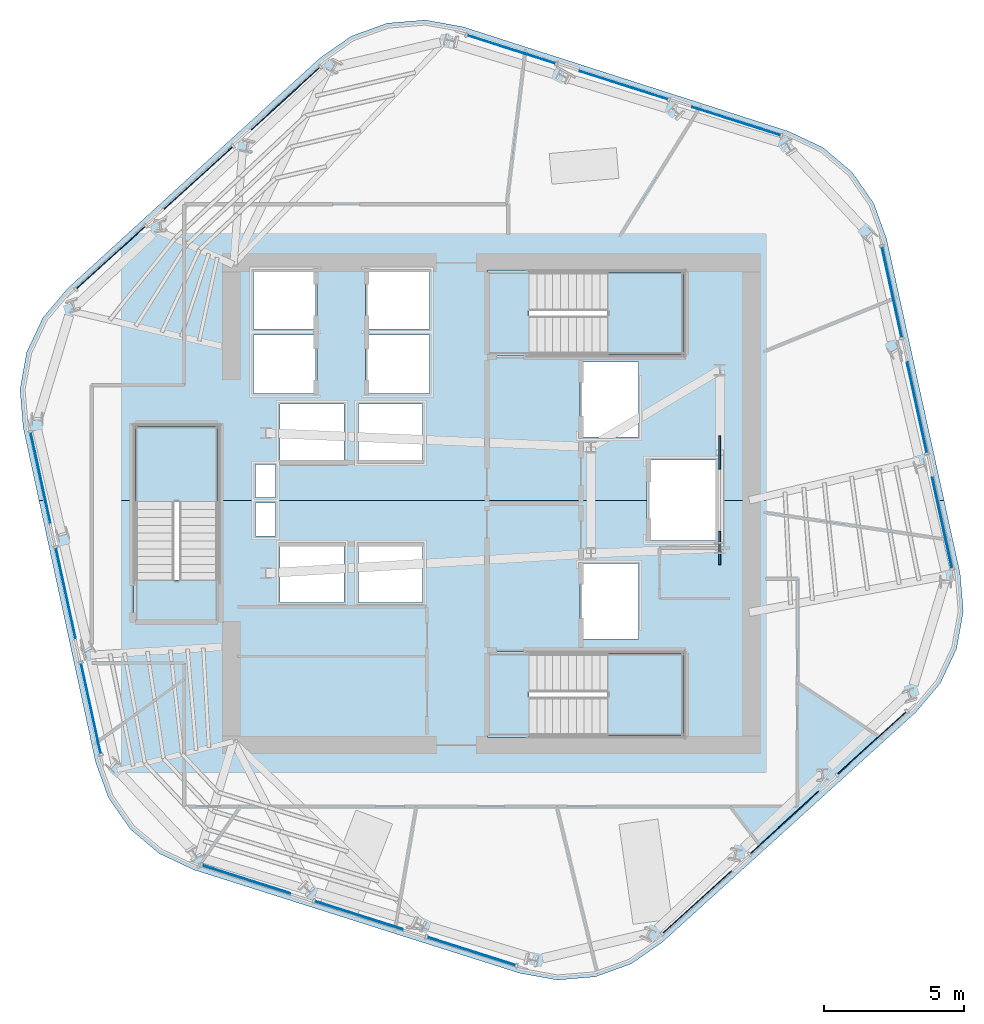
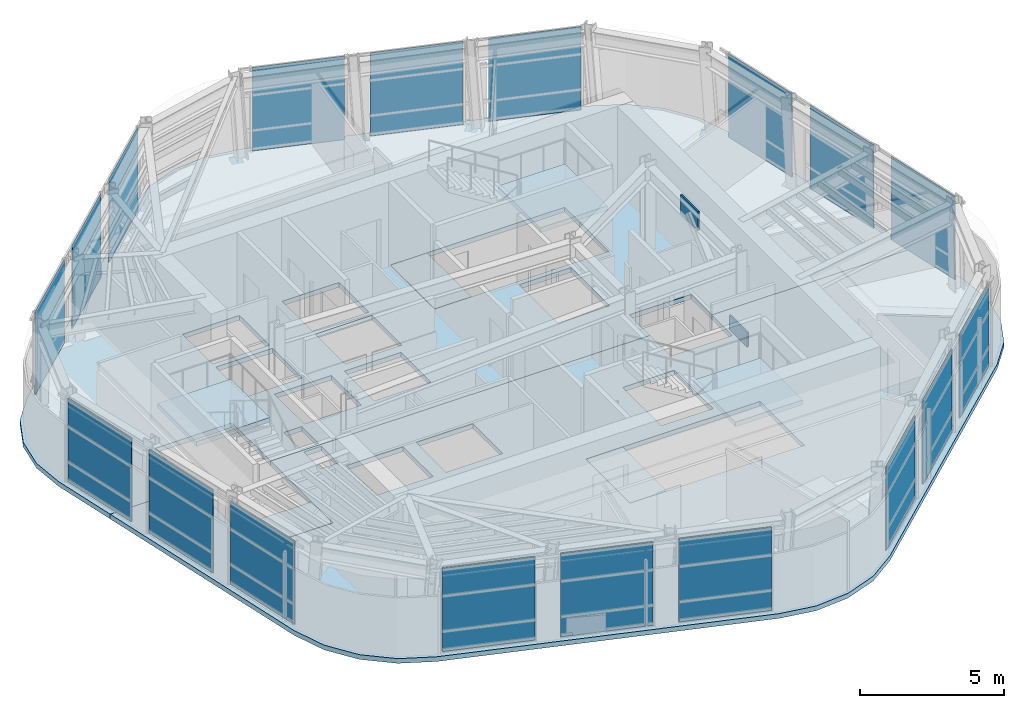
# One storey, part 6 of 15: 20 plates, 8 slabs, 9 elements without a shape of their own.
"""IFC4 building model written with IfcOpenShell, lengths in metres."""

import ifcopenshell
import ifcopenshell.guid

model = None  # the IFC model being written
_history = None  # IfcOwnerHistory: only IFC2X3 demands one
_inside = {}  # id of a spatial element -> (the spatial element, [elements in it])
_under = {}  # id of a project, library or spatial element -> (it, [spatial elements below it])
_declared = {}  # id of a project -> (the project, [libraries it declares])
_typed = {}  # id of a type object -> (the type object, [elements of that type])
_made_of = {}  # id of a material, layer set ... -> (it, [elements and type objects made of it])


def new_model(schema):
    """Start an empty IFC model of exactly this schema.

    Asked for "IFC4X3", IfcOpenShell would pick the latest addendum, in which some entities
    have other attributes; the version numbers below select the first issue.
    IFC2X3 requires an IfcOwnerHistory on every rooted entity: one is made here for all.
    """
    global model, _history
    if schema == "IFC4X3":
        model = ifcopenshell.file(schema_version=(4, 3, 0, 0))
    else:
        model = ifcopenshell.file(schema=schema)
    _inside.clear()
    _under.clear()
    _declared.clear()
    _typed.clear()
    _made_of.clear()
    _history = None
    if model.schema == "IFC2X3":
        org = make("IfcOrganization", Name="unknown")
        user = make(
            "IfcPersonAndOrganization",
            ThePerson=make("IfcPerson", FamilyName="unknown"),
            TheOrganization=org,
        )
        app = make(
            "IfcApplication",
            ApplicationDeveloper=org,
            Version="unknown",
            ApplicationFullName="unknown",
            ApplicationIdentifier="unknown",
        )
        _history = make(
            "IfcOwnerHistory",
            OwningUser=user,
            OwningApplication=app,
            ChangeAction="ADDED",
            CreationDate=0,
        )
    return model


def make(cls, **values):
    """One entity of the class cls with the attributes given. An attribute that is None is left unset."""
    return model.create_entity(
        cls, **{name: value for name, value in values.items() if value is not None}
    )


def rooted(cls, **values):
    """An entity with a GlobalId (a new one), such as an element, a storey or a relation."""
    return make(cls, GlobalId=ifcopenshell.guid.new(), OwnerHistory=_history, **values)


def si_unit(unit_type, name, prefix=None):
    """IfcSIUnit, for example si_unit("LENGTHUNIT", "METRE", prefix="MILLI")."""
    return make("IfcSIUnit", UnitType=unit_type, Prefix=prefix, Name=name)


def assignment(units):
    """IfcUnitAssignment: the units of a project."""
    return None if units is None else make("IfcUnitAssignment", Units=units)


def point(xyz):
    """IfcCartesianPoint."""
    return None if xyz is None else make("IfcCartesianPoint", Coordinates=xyz)


def direction(xyz):
    """IfcDirection."""
    return None if xyz is None else make("IfcDirection", DirectionRatios=xyz)


def frame(location, z_axis=None, x_axis=None):
    """IfcAxis2Placement3D, a coordinate frame: its origin and axes. An axis left out is left unset."""
    return make(
        "IfcAxis2Placement3D",
        Location=point(location),
        Axis=direction(z_axis),
        RefDirection=direction(x_axis),
    )


def frame_2d(location, x_axis=None):
    """IfcAxis2Placement2D, a coordinate frame in the plane: its origin and x axis."""
    return make(
        "IfcAxis2Placement2D", Location=point(location), RefDirection=direction(x_axis)
    )


def origin():
    """The frame at (0, 0, 0) with its axes left unset."""
    return frame((0.0, 0.0, 0.0))


def origin_2d():
    """The frame at (0, 0) in the plane with its x axis left unset."""
    return frame_2d((0.0, 0.0))


def place(relative_to, where):
    """IfcLocalPlacement: puts the frame where relative to a parent placement (None: the world)."""
    return make(
        "IfcLocalPlacement", PlacementRelTo=relative_to, RelativePlacement=where
    )


def context(
    kind, dimensions, precision=None, world=None, true_north=None, identifier=None
):
    """IfcGeometricRepresentationContext, for example the 3D "Model" context."""
    return make(
        "IfcGeometricRepresentationContext",
        ContextIdentifier=identifier,
        ContextType=kind,
        CoordinateSpaceDimension=dimensions,
        Precision=precision,
        WorldCoordinateSystem=world,
        TrueNorth=true_north,
    )


def subcontext(parent, identifier, kind, view, scale=None):
    """IfcGeometricRepresentationSubContext, for example "Body" below "Model"."""
    return make(
        "IfcGeometricRepresentationSubContext",
        ContextIdentifier=identifier,
        ContextType=kind,
        ParentContext=parent,
        TargetScale=scale,
        TargetView=view,
    )


def project(units=None, contexts=None):
    """IfcProject with its units and contexts."""
    return rooted(
        "IfcProject",
        Name="project",
        RepresentationContexts=contexts,
        UnitsInContext=assignment(units),
    )


def spatial(cls, under=None, at=None, **own):
    """A site, building, storey or space (cls), placed at a placement, below another one or the project."""
    s = rooted(cls, ObjectPlacement=at, **own)
    if under is not None:
        _under.setdefault(under.id(), (under, []))[1].append(s)
    return s


def polyline(points):
    """IfcPolyline through the points."""
    return make("IfcPolyline", Points=[point(p) for p in points])


def profile(cls, at=None, kind="AREA", **sizes):
    """A parametric profile (cls). Its sizes go by their IFC names, for example OverallWidth=200.0."""
    return make(cls, ProfileType=kind, Position=at, **sizes)


def rectangle(**sizes):
    """IfcRectangleProfileDef."""
    return profile("IfcRectangleProfileDef", **sizes)


def outline(outer, holes=None, kind="AREA"):
    """IfcArbitraryClosedProfileDef: a profile drawn as a closed curve; with holes, ...WithVoids."""
    if holes is None:
        return make("IfcArbitraryClosedProfileDef", ProfileType=kind, OuterCurve=outer)
    return make(
        "IfcArbitraryProfileDefWithVoids",
        ProfileType=kind,
        OuterCurve=outer,
        InnerCurves=holes,
    )


def extrude(swept, where, along, depth):
    """IfcExtrudedAreaSolid: the profile swept, set in the frame where, extruded along a direction by depth."""
    return make(
        "IfcExtrudedAreaSolid",
        SweptArea=swept,
        Position=where,
        ExtrudedDirection=direction(along),
        Depth=depth,
    )


def shape(context_of_items, identifier, shape_type, items):
    """IfcShapeRepresentation: the items that make up one representation, for example the "Body"."""
    return make(
        "IfcShapeRepresentation",
        ContextOfItems=context_of_items,
        RepresentationIdentifier=identifier,
        RepresentationType=shape_type,
        Items=items,
    )


def material(Name=None, Category=None):
    """IfcMaterial."""
    return make("IfcMaterial", Name=Name, Category=Category)


def layer(
    of_material, thickness, ventilated=None, Name=None, Category=None, Priority=None
):
    """IfcMaterialLayer: one layer of a wall or slab, of a material (None: an air gap)."""
    return make(
        "IfcMaterialLayer",
        Material=of_material,
        LayerThickness=thickness,
        IsVentilated=ventilated,
        Name=Name,
        Category=Category,
        Priority=Priority,
    )


def layer_set(layers, Name=None):
    """IfcMaterialLayerSet."""
    return make("IfcMaterialLayerSet", MaterialLayers=layers, LayerSetName=Name)


def made_of(thing, what):
    """Note that an element or type object is made of a material, layer set ...; save() writes the relation."""
    if what is not None:
        _made_of.setdefault(what.id(), (what, []))[1].append(thing)
    return thing


def type_object(cls, material=None, **own):
    """A type object (cls), such as IfcWallType, which elements share."""
    return made_of(rooted(cls, **own), material)


def element(
    cls,
    number,
    at=None,
    inside=None,
    cuts=None,
    type_object=None,
    material=None,
    context=None,
    identifier="Body",
    shape_type=None,
    held_by="IfcProductDefinitionShape",
    body=None,
    shapes=None,
    **own,
):
    """One element of the class cls, such as IfcWall. Its Tag is "e" and its number.

    at: its placement. inside: the storey or other place that contains it. cuts: it is an
    opening in that element (IfcRelVoidsElement). A single representation is given by context,
    identifier, shape_type and body (its items); several are given by shapes. held_by: the class
    of the entity that holds the representations. save() writes the other relations.
    """
    e = rooted(cls, Tag="e%d" % number, ObjectPlacement=at, **own)
    if body is not None:
        shapes = [shape(context, identifier, shape_type, body)]
    if shapes is not None:
        e.Representation = make(held_by, Representations=shapes)
    if inside is not None:
        _inside.setdefault(inside.id(), (inside, []))[1].append(e)
    if cuts is not None:
        rooted(
            "IfcRelVoidsElement", RelatingBuildingElement=cuts, RelatedOpeningElement=e
        )
    if type_object is not None:
        _typed.setdefault(type_object.id(), (type_object, []))[1].append(e)
    return made_of(e, material)


def aggregate(whole, parts):
    """IfcRelAggregates: a whole, such as a stair, and the parts it consists of."""
    return rooted("IfcRelAggregates", RelatingObject=whole, RelatedObjects=parts)


def save(model, path):
    """Write the relations noted so far, then the file.

    IfcRelAggregates (storeys below a building ...), IfcRelContainedInSpatialStructure (elements
    in a storey), IfcRelDefinesByType, IfcRelAssociatesMaterial and IfcRelDeclares: one each for
    every whole, place, type object, material and project.
    """
    for whole, parts in _under.values():
        aggregate(whole, parts)
    for where, things in _inside.values():
        rooted(
            "IfcRelContainedInSpatialStructure",
            RelatedElements=things,
            RelatingStructure=where,
        )
    for kind, things in _typed.values():
        rooted("IfcRelDefinesByType", RelatedObjects=things, RelatingType=kind)
    for what, things in _made_of.values():
        rooted("IfcRelAssociatesMaterial", RelatedObjects=things, RelatingMaterial=what)
    for by, libraries in _declared.values():
        rooted("IfcRelDeclares", RelatingContext=by, RelatedDefinitions=libraries)
    model.write(path)


model = new_model("IFC4")

# Units and contexts
model_context = context("Model", 3, precision=1e-05, world=origin(), true_north=direction((0.0, 1.0)))
body_context = subcontext(model_context, "Body", "Model", "MODEL_VIEW")
ifc_project = project(units=[si_unit("LENGTHUNIT", "METRE"), si_unit("AREAUNIT", "SQUARE_METRE"), si_unit("VOLUMEUNIT", "CUBIC_METRE"), si_unit("PLANEANGLEUNIT", "RADIAN"), si_unit("MASSUNIT", "GRAM", prefix="KILO")], contexts=[model_context])

# Site, building, storey
site_placement = place(None, origin())
site = spatial("IfcSite", under=ifc_project, at=site_placement, CompositionType="ELEMENT")
building_placement = place(site_placement, origin())
building = spatial("IfcBuilding", under=site, at=building_placement, Name="Valkerne Bourse Tower", CompositionType="ELEMENT")
storey_placement = place(building_placement, frame((0.0, 0.0, 205.60009765625)))
storey = spatial("IfcBuildingStorey", under=building, at=storey_placement, Name="L52", CompositionType="ELEMENT", Elevation=205.60009765625)

# Curtain wall, plates
ifc_material_1 = material(Name="Aluminium AA 6063-T6", Category="aluminium")
ifc_layer_1 = layer(ifc_material_1, 0.239990234375)
ifc_layer_set_1 = layer_set([ifc_layer_1], Name="Aluminium AA 6063-T6")
curtain_wall_type = type_object("IfcCurtainWallType", Name="CW-04", PredefinedType="NOTDEFINED", material=ifc_layer_set_1)
curtain_wall_1_placement = place(storey_placement, origin())
curtain_wall_1 = element("IfcCurtainWall", 1, at=curtain_wall_1_placement, inside=storey, type_object=curtain_wall_type, Name="L52 Hexagonal Stick Curtain Wall Face 1", PredefinedType="NOTDEFINED")
ifc_material_2 = material(Name="Glass IGU Low-E Double Glazed", Category="glass")
ifc_layer_2 = layer(ifc_material_2, 0.031982421875)
ifc_layer_set_2 = layer_set([ifc_layer_2], Name="Glass IGU Low-E Double Glazed")
plate_type_1 = type_object("IfcPlateType", Name="CW-PNL-IGU-32", PredefinedType="CURTAIN_PANEL", material=ifc_layer_set_2)
plate_1_placement = place(storey_placement, frame((55.536865234375, 40.522705078125, 0.02978515625), z_axis=(0.0, 0.0, 1.0), x_axis=(-0.952660381718, 0.304036506204, 0.0)))
plate_1 = element("IfcPlate", 2, at=plate_1_placement, type_object=plate_type_1, Name="CW-L52-F1 Curtain Panel 00", PredefinedType="CURTAIN_PANEL", context=body_context, shape_type="SweptSolid", body=[
    extrude(rectangle(XDim=3.2919921875, YDim=0.031982421875, at=origin_2d()), origin(), (0.0, 0.0, 1.0), 3.5400390625),
])
plate_2_placement = place(storey_placement, frame((51.5244140625, 41.80322265625, 0.02978515625), z_axis=(0.0, 0.0, 1.0), x_axis=(-0.952660381718, 0.304036506204, 0.0)))
plate_2 = element("IfcPlate", 3, at=plate_2_placement, type_object=plate_type_1, Name="CW-L52-F1 Curtain Panel 01", PredefinedType="CURTAIN_PANEL", context=body_context, shape_type="SweptSolid", body=[
    extrude(rectangle(XDim=3.2919921875, YDim=0.031982421875, at=origin_2d()), origin(), (0.0, 0.0, 1.0), 3.5400390625),
])
plate_3_placement = place(storey_placement, frame((47.51171875, 43.083740234375, 0.02978515625), z_axis=(0.0, 0.0, 1.0), x_axis=(-0.952667258157, 0.304014958903, 0.0)))
plate_3 = element("IfcPlate", 4, at=plate_3_placement, type_object=plate_type_1, Name="CW-L52-F1 Curtain Panel 02", PredefinedType="CURTAIN_PANEL", context=body_context, shape_type="SweptSolid", body=[
    extrude(rectangle(XDim=3.2919921875, YDim=0.031982421875, at=origin_2d()), origin(), (0.0, 0.0, 1.0), 3.5400390625),
])
aggregate(curtain_wall_1, [plate_1, plate_2, plate_3])

curtain_wall_2_placement = place(storey_placement, origin())
curtain_wall_2 = element("IfcCurtainWall", 5, at=curtain_wall_2_placement, inside=storey, type_object=curtain_wall_type, Name="L52 Hexagonal Stick Curtain Wall Face 2", PredefinedType="NOTDEFINED")
plate_4_placement = place(storey_placement, frame((39.45751953125, 41.32763671875, 0.02978515625), z_axis=(0.0, 0.0, 1.0), x_axis=(-0.73961985495, -0.673024865933, 0.0)))
plate_4 = element("IfcPlate", 6, at=plate_4_placement, type_object=plate_type_1, Name="CW-L52-F2 Curtain Panel 00", PredefinedType="CURTAIN_PANEL", context=body_context, shape_type="SweptSolid", body=[
    extrude(rectangle(XDim=3.2919921875, YDim=0.031982421875, at=origin_2d()), origin(), (0.0, 0.0, 1.0), 3.5400390625),
])
plate_5_placement = place(storey_placement, frame((36.34228515625, 38.492919921875, 0.02978515625), z_axis=(0.0, 0.0, 1.0), x_axis=(-0.739631673154, -0.673011878103, 0.0)))
plate_5 = element("IfcPlate", 7, at=plate_5_placement, type_object=plate_type_1, Name="CW-L52-F2 Curtain Panel 01", PredefinedType="CURTAIN_PANEL", context=body_context, shape_type="SweptSolid", body=[
    extrude(rectangle(XDim=3.2919921875, YDim=0.031982421875, at=origin_2d()), origin(), (0.0, 0.0, 1.0), 3.5400390625),
])
plate_6_placement = place(storey_placement, frame((33.226806640625, 35.658203125, 0.02978515625), z_axis=(0.0, 0.0, 1.0), x_axis=(-0.739631673154, -0.673011878103, 0.0)))
plate_6 = element("IfcPlate", 8, at=plate_6_placement, type_object=plate_type_1, Name="CW-L52-F2 Curtain Panel 02", PredefinedType="CURTAIN_PANEL", context=body_context, shape_type="SweptSolid", body=[
    extrude(rectangle(XDim=3.2919921875, YDim=0.031982421875, at=origin_2d()), origin(), (0.0, 0.0, 1.0), 3.5400390625),
])
aggregate(curtain_wall_2, [plate_4, plate_5, plate_6])

curtain_wall_3_placement = place(storey_placement, origin())
curtain_wall_3 = element("IfcCurtainWall", 9, at=curtain_wall_3_placement, inside=storey, type_object=curtain_wall_type, Name="L52 Hexagonal Stick Curtain Wall Face 3", PredefinedType="NOTDEFINED")
plate_7_placement = place(storey_placement, frame((30.720703125, 27.80517578125, 0.02978515625), z_axis=(0.0, 0.0, 1.0), x_axis=(0.213034804174, -0.977044611167, 0.0)))
plate_7 = element("IfcPlate", 10, at=plate_7_placement, type_object=plate_type_1, Name="CW-L52-F3 Curtain Panel 00", PredefinedType="CURTAIN_PANEL", context=body_context, shape_type="SweptSolid", body=[
    extrude(rectangle(XDim=3.2919921875, YDim=0.031982421875, at=origin_2d()), origin(), (0.0, 0.0, 1.0), 3.5400390625),
])
plate_8_placement = place(storey_placement, frame((31.617919921875, 23.689697265625, 0.02978515625), z_axis=(0.0, 0.0, 1.0), x_axis=(0.213029862571, -0.977045688621, 0.0)))
plate_8 = element("IfcPlate", 11, at=plate_8_placement, type_object=plate_type_1, Name="CW-L52-F3 Curtain Panel 01", PredefinedType="CURTAIN_PANEL", context=body_context, shape_type="SweptSolid", body=[
    extrude(rectangle(XDim=3.2919921875, YDim=0.031982421875, at=origin_2d()), origin(), (0.0, 0.0, 1.0), 3.5400390625),
])
plate_9_placement = place(storey_placement, frame((32.515380859375, 19.574462890625, 0.02978515625), z_axis=(0.0, 0.0, 1.0), x_axis=(0.213034804174, -0.977044611167, 0.0)))
plate_9 = element("IfcPlate", 12, at=plate_9_placement, type_object=plate_type_1, Name="CW-L52-F3 Curtain Panel 02", PredefinedType="CURTAIN_PANEL", context=body_context, shape_type="SweptSolid", body=[
    extrude(rectangle(XDim=3.2919921875, YDim=0.031982421875, at=origin_2d()), origin(), (0.0, 0.0, 1.0), 3.5400390625),
])
aggregate(curtain_wall_3, [plate_7, plate_8, plate_9])

curtain_wall_4_placement = place(storey_placement, origin())
curtain_wall_4 = element("IfcCurtainWall", 13, at=curtain_wall_4_placement, inside=storey, type_object=curtain_wall_type, Name="L52 Hexagonal Stick Curtain Wall Face 4", PredefinedType="NOTDEFINED")
plate_10_placement = place(storey_placement, frame((38.06298828125, 13.477294921875, 0.02978515625), z_axis=(0.0, 0.0, 1.0), x_axis=(0.952660381718, -0.304036506204, 0.0)))
plate_10 = element("IfcPlate", 14, at=plate_10_placement, type_object=plate_type_1, Name="CW-L52-F4 Curtain Panel 00", PredefinedType="CURTAIN_PANEL", context=body_context, shape_type="SweptSolid", body=[
    extrude(rectangle(XDim=3.2919921875, YDim=0.031982421875, at=origin_2d()), origin(), (0.0, 0.0, 1.0), 3.5400390625),
])
plate_11_placement = place(storey_placement, frame((42.07568359375, 12.19677734375, 0.02978515625), z_axis=(0.0, 0.0, 1.0), x_axis=(0.952660381718, -0.304036506204, 0.0)))
plate_11 = element("IfcPlate", 15, at=plate_11_placement, type_object=plate_type_1, Name="CW-L52-F4 Curtain Panel 01", PredefinedType="CURTAIN_PANEL", context=body_context, shape_type="SweptSolid", body=[
    extrude(rectangle(XDim=3.2919921875, YDim=0.031982421875, at=origin_2d()), origin(), (0.0, 0.0, 1.0), 3.5400390625),
])
plate_12_placement = place(storey_placement, frame((46.08837890625, 10.916259765625, 0.02978515625), z_axis=(0.0, 0.0, 1.0), x_axis=(0.952667258157, -0.304014958903, 0.0)))
plate_12 = element("IfcPlate", 16, at=plate_12_placement, type_object=plate_type_1, Name="CW-L52-F4 Curtain Panel 02", PredefinedType="CURTAIN_PANEL", context=body_context, shape_type="SweptSolid", body=[
    extrude(rectangle(XDim=3.2919921875, YDim=0.031982421875, at=origin_2d()), origin(), (0.0, 0.0, 1.0), 3.5400390625),
])
aggregate(curtain_wall_4, [plate_10, plate_11, plate_12])

curtain_wall_5_placement = place(storey_placement, origin())
curtain_wall_5 = element("IfcCurtainWall", 17, at=curtain_wall_5_placement, inside=storey, type_object=curtain_wall_type, Name="L52 Hexagonal Stick Curtain Wall Face 5", PredefinedType="NOTDEFINED")
plate_13_placement = place(storey_placement, frame((54.142578125, 12.67236328125, 0.02978515625), z_axis=(0.0, 0.0, 1.0), x_axis=(0.73961985495, 0.673024865933, 0.0)))
plate_13 = element("IfcPlate", 18, at=plate_13_placement, type_object=plate_type_1, Name="CW-L52-F5 Curtain Panel 00", PredefinedType="CURTAIN_PANEL", context=body_context, shape_type="SweptSolid", body=[
    extrude(rectangle(XDim=3.2919921875, YDim=0.031982421875, at=origin_2d()), origin(), (0.0, 0.0, 1.0), 3.5400390625),
])
plate_14_placement = place(storey_placement, frame((57.2578125, 15.507080078125, 0.02978515625), z_axis=(0.0, 0.0, 1.0), x_axis=(0.739631673154, 0.673011878103, 0.0)))
plate_14 = element("IfcPlate", 19, at=plate_14_placement, type_object=plate_type_1, Name="CW-L52-F5 Curtain Panel 01", PredefinedType="CURTAIN_PANEL", context=body_context, shape_type="SweptSolid", body=[
    extrude(rectangle(XDim=3.2919921875, YDim=0.031982421875, at=origin_2d()), origin(), (0.0, 0.0, 1.0), 3.5400390625),
])
plate_15_placement = place(storey_placement, frame((60.373046875, 18.341796875, 0.02978515625), z_axis=(0.0, 0.0, 1.0), x_axis=(0.739631673154, 0.673011878103, 0.0)))
plate_15 = element("IfcPlate", 20, at=plate_15_placement, type_object=plate_type_1, Name="CW-L52-F5 Curtain Panel 02", PredefinedType="CURTAIN_PANEL", context=body_context, shape_type="SweptSolid", body=[
    extrude(rectangle(XDim=3.2919921875, YDim=0.031982421875, at=origin_2d()), origin(), (0.0, 0.0, 1.0), 3.5400390625),
])
aggregate(curtain_wall_5, [plate_13, plate_14, plate_15])

curtain_wall_6_placement = place(storey_placement, origin())
curtain_wall_6 = element("IfcCurtainWall", 21, at=curtain_wall_6_placement, inside=storey, type_object=curtain_wall_type, Name="L52 Hexagonal Stick Curtain Wall Face 6", PredefinedType="NOTDEFINED")
plate_16_placement = place(storey_placement, frame((62.87939453125, 26.19482421875, 0.02978515625), z_axis=(0.0, 0.0, 1.0), x_axis=(-0.213034804174, 0.977044611167, 0.0)))
plate_16 = element("IfcPlate", 22, at=plate_16_placement, type_object=plate_type_1, Name="CW-L52-F6 Curtain Panel 00", PredefinedType="CURTAIN_PANEL", context=body_context, shape_type="SweptSolid", body=[
    extrude(rectangle(XDim=3.2919921875, YDim=0.031982421875, at=origin_2d()), origin(), (0.0, 0.0, 1.0), 3.5400390625),
])
plate_17_placement = place(storey_placement, frame((61.982177734375, 30.310302734375, 0.02978515625), z_axis=(0.0, 0.0, 1.0), x_axis=(-0.213029862571, 0.977045688621, 0.0)))
plate_17 = element("IfcPlate", 23, at=plate_17_placement, type_object=plate_type_1, Name="CW-L52-F6 Curtain Panel 01", PredefinedType="CURTAIN_PANEL", context=body_context, shape_type="SweptSolid", body=[
    extrude(rectangle(XDim=3.2919921875, YDim=0.031982421875, at=origin_2d()), origin(), (0.0, 0.0, 1.0), 3.5400390625),
])
plate_18_placement = place(storey_placement, frame((61.084716796875, 34.425537109375, 0.02978515625), z_axis=(0.0, 0.0, 1.0), x_axis=(-0.213034804174, 0.977044611167, 0.0)))
plate_18 = element("IfcPlate", 24, at=plate_18_placement, type_object=plate_type_1, Name="CW-L52-F6 Curtain Panel 02", PredefinedType="CURTAIN_PANEL", context=body_context, shape_type="SweptSolid", body=[
    extrude(rectangle(XDim=3.2919921875, YDim=0.031982421875, at=origin_2d()), origin(), (0.0, 0.0, 1.0), 3.5400390625),
])
aggregate(curtain_wall_6, [plate_16, plate_17, plate_18])

# Plates
ifc_material_3 = material(Name="Steel ASTM A572 Grade 50", Category="steel")
ifc_layer_3 = layer(ifc_material_3, 0.06005859375)
ifc_layer_set_3 = layer_set([ifc_layer_3], Name="Steel ASTM A572 Grade 50")
plate_type_2 = type_object("IfcPlateType", Name="PLT-GUS-60", PredefinedType="SHEET", material=ifc_layer_set_3)
for number, where, z_axis, x_axis, name in (
    (25, (54.949951171875, 25.300048828125, -0.18017578125), (0.0, 0.0, 1.0), (0.0, 1.0, 0.0), "L52 Brace Node Gusset Plate PLT-GUS-END-L52-420"),
    (26, (54.949951171875, 28.699951171875, 2.8935546875), (0.0, 0.0, 1.0), (0.0, 1.0, 0.0), "L52 Brace Node Gusset Plate PLT-GUS-END-L52-421"),
):
    element("IfcPlate", number, at=place(storey_placement, frame(where, z_axis=z_axis, x_axis=x_axis)), inside=storey, type_object=plate_type_2, Name=name, PredefinedType="SHEET", context=body_context, shape_type="SweptSolid", body=[
        extrude(rectangle(XDim=1.199951171875, YDim=0.06005859375, at=origin_2d()), origin(), (0.0, 0.0, 1.0), 0.800048828125),
    ])

# Slabs
ifc_material_4 = material(Name="Concrete C40/50", Category="concrete")
ifc_layer_4 = layer(ifc_material_4, 0.25)
ifc_layer_set_4 = layer_set([ifc_layer_4], Name="Concrete C40/50")
slab_type_1 = type_object("IfcSlabType", Name="SLB-RMP-LND-250", PredefinedType="LANDING", material=ifc_layer_set_4)
slab_1_placement = place(storey_placement, frame((0.0, 0.0, -0.2001953125)))
element("IfcSlab", 27, at=slab_1_placement, inside=storey, type_object=slab_type_1, Name="L52 ST-1 Floor Landing Slab", PredefinedType="LANDING", context=body_context, shape_type="SweptSolid", body=[
    extrude(outline(polyline([(46.669921875, 18.5400390625), (48.14990234375, 18.5400390625), (48.14990234375, 21.610107421875), (46.669921875, 21.610107421875), (46.669921875, 18.5400390625)])), origin(), (0.0, 0.0, 1.0), 0.2001953125),
])
slab_2_placement = place(storey_placement, frame((0.0, 0.0, -0.2001953125)))
element("IfcSlab", 28, at=slab_2_placement, inside=storey, type_object=slab_type_1, Name="L52 ST-2 Floor Landing Slab", PredefinedType="LANDING", context=body_context, shape_type="SweptSolid", body=[
    extrude(outline(polyline([(46.669921875, 32.139892578125), (48.14990234375, 32.139892578125), (48.14990234375, 35.2099609375), (46.669921875, 35.2099609375), (46.669921875, 32.139892578125)])), origin(), (0.0, 0.0, 1.0), 0.2001953125),
])
slab_3_placement = place(storey_placement, frame((0.0, 0.0, -0.2001953125)))
element("IfcSlab", 29, at=slab_3_placement, inside=storey, type_object=slab_type_1, Name="L52 ST-3 Floor Landing Slab", PredefinedType="LANDING", context=body_context, shape_type="SweptSolid", body=[
    extrude(outline(polyline([(37.110107421875, 22.669921875), (37.110107421875, 24.14990234375), (34.0400390625, 24.14990234375), (34.0400390625, 22.669921875), (37.110107421875, 22.669921875)])), origin(), (0.0, 0.0, 1.0), 0.2001953125),
])

# Stair, slab
stair_type = type_object("IfcStairType", Name="ST-CORE-1400", PredefinedType="HALF_TURN_STAIR", material=ifc_material_4)
stair_1_placement = place(storey_placement, origin())
stair_1 = element("IfcStair", 30, at=stair_1_placement, inside=storey, type_object=stair_type, Name="L52 ST-1", PredefinedType="HALF_TURN_STAIR")
ifc_layer_5 = layer(ifc_material_4, 0.179931640625)
ifc_layer_set_5 = layer_set([ifc_layer_5], Name="Concrete C40/50")
slab_type_2 = type_object("IfcSlabType", Name="SLB-ST-LND-180", PredefinedType="LANDING", material=ifc_layer_set_5)
slab_4_placement = place(storey_placement, frame((0.0, 0.0, 1.699951171875)))
slab_4 = element("IfcSlab", 31, at=slab_4_placement, type_object=slab_type_2, Name="ST-1 landing 1", PredefinedType="LANDING", context=body_context, shape_type="SweptSolid", body=[
    extrude(outline(polyline([(50.949951171875, 18.60009765625), (53.64990234375, 18.60009765625), (53.64990234375, 21.550048828125), (50.949951171875, 21.550048828125), (50.949951171875, 18.60009765625)])), origin(), (0.0, 0.0, 1.0), 0.199951171875),
])
aggregate(stair_1, [slab_4])

stair_2_placement = place(storey_placement, origin())
stair_2 = element("IfcStair", 32, at=stair_2_placement, inside=storey, type_object=stair_type, Name="L52 ST-2", PredefinedType="HALF_TURN_STAIR")
slab_5_placement = place(storey_placement, frame((0.0, 0.0, 1.699951171875)))
slab_5 = element("IfcSlab", 33, at=slab_5_placement, type_object=slab_type_2, Name="ST-2 landing 1", PredefinedType="LANDING", context=body_context, shape_type="SweptSolid", body=[
    extrude(outline(polyline([(50.949951171875, 32.199951171875), (53.64990234375, 32.199951171875), (53.64990234375, 35.14990234375), (50.949951171875, 35.14990234375), (50.949951171875, 32.199951171875)])), origin(), (0.0, 0.0, 1.0), 0.199951171875),
])
aggregate(stair_2, [slab_5])

stair_3_placement = place(storey_placement, origin())
stair_3 = element("IfcStair", 34, at=stair_3_placement, inside=storey, type_object=stair_type, Name="L52 ST-3", PredefinedType="HALF_TURN_STAIR")
slab_6_placement = place(storey_placement, frame((0.0, 0.0, 1.699951171875)))
slab_6 = element("IfcSlab", 35, at=slab_6_placement, type_object=slab_type_2, Name="ST-3 landing 1", PredefinedType="LANDING", context=body_context, shape_type="SweptSolid", body=[
    extrude(outline(polyline([(37.050048828125, 26.949951171875), (37.050048828125, 29.64990234375), (34.10009765625, 29.64990234375), (34.10009765625, 26.949951171875), (37.050048828125, 26.949951171875)])), origin(), (0.0, 0.0, 1.0), 0.199951171875),
])
aggregate(stair_3, [slab_6])

# Slabs
ifc_layer_6 = layer(ifc_material_4, 0.199951171875)
ifc_layer_set_6 = layer_set([ifc_layer_6], Name="Concrete C40/50")
slab_type_3 = type_object("IfcSlabType", Name="SLB-TOW-200", PredefinedType="FLOOR", material=ifc_layer_set_6)
slab_7_placement = place(storey_placement, frame((0.0, 0.0, -0.2001953125)))
element("IfcSlab", 36, at=slab_7_placement, inside=storey, type_object=slab_type_3, Name="L52 Hexagonal Composite Floor Slab S", PredefinedType="FLOOR", context=body_context, shape_type="SweptSolid", body=[
    extrude(outline(polyline([(63.634765625, 23.0400390625), (63.394287109375, 21.7041015625), (62.81640625, 20.475830078125), (61.940185546875, 19.43896484375), (52.897705078125, 11.23828125), (51.782958984375, 10.463623046875), (50.505859375, 10.003662109375), (49.153076171875, 9.89013671875), (47.817138671875, 10.130615234375), (36.181640625, 13.82275390625), (34.953369140625, 14.400634765625), (33.91650390625, 15.27685546875), (33.1416015625, 16.3916015625), (32.681884765625, 17.668701171875), (30.66357421875, 27.0), (34.034912109375, 27.0), (34.034912109375, 22.6650390625), (37.114990234375, 22.6650390625), (37.114990234375, 27.0), (52.360107421875, 27.0), (52.360107421875, 25.56005859375), (54.840087890625, 25.56005859375), (54.840087890625, 27.0), (62.947998046875, 27.0), (63.52099609375, 24.392822265625), (63.634765625, 23.0400390625)]), holes=[polyline([(41.5400390625, 25.43994140625), (39.260009765625, 25.43994140625), (39.260009765625, 23.360107421875), (41.5400390625, 23.360107421875), (41.5400390625, 25.43994140625)]), polyline([(44.340087890625, 25.43994140625), (42.06005859375, 25.43994140625), (42.06005859375, 23.360107421875), (44.340087890625, 23.360107421875), (44.340087890625, 25.43994140625)]), polyline([(39.10009765625, 26.89990234375), (38.3798828125, 26.89990234375), (38.3798828125, 25.72998046875), (39.10009765625, 25.72998046875), (39.10009765625, 26.89990234375)]), polyline([(53.675048828125, 21.614990234375), (46.6650390625, 21.614990234375), (46.6650390625, 18.534912109375), (53.675048828125, 18.534912109375), (53.675048828125, 21.614990234375)]), polyline([(52.0400390625, 24.739990234375), (49.9599609375, 24.739990234375), (49.9599609375, 22.06005859375), (52.0400390625, 22.06005859375), (52.0400390625, 24.739990234375)])]), origin(), (0.0, 0.0, 1.0), 0.2001953125),
])
slab_8_placement = place(storey_placement, frame((0.0, 0.0, -0.2001953125)))
element("IfcSlab", 37, at=slab_8_placement, inside=storey, type_object=slab_type_3, Name="L52 Hexagonal Composite Floor Slab N", PredefinedType="FLOOR", context=body_context, shape_type="SweptSolid", body=[
    extrude(outline(polyline([(30.10107421875, 29.60009765625), (29.987548828125, 30.952880859375), (30.227783203125, 32.288818359375), (30.805908203125, 33.51708984375), (31.68212890625, 34.553955078125), (40.697265625, 42.784423828125), (41.81201171875, 43.55908203125), (43.08935546875, 44.01904296875), (44.44189453125, 44.132568359375), (45.778076171875, 43.89208984375), (57.401123046875, 40.16162109375), (58.62939453125, 39.58349609375), (59.666259765625, 38.70751953125), (60.44091796875, 37.5927734375), (60.90087890625, 36.3154296875), (62.947998046875, 27.0), (54.840087890625, 27.0), (54.840087890625, 28.43994140625), (52.360107421875, 28.43994140625), (52.360107421875, 27.0), (37.114990234375, 27.0), (37.114990234375, 29.675048828125), (34.034912109375, 29.675048828125), (34.034912109375, 27.0), (30.66357421875, 27.0), (30.10107421875, 29.60009765625)]), holes=[polyline([(39.10009765625, 28.27001953125), (38.3798828125, 28.27001953125), (38.3798828125, 27.10009765625), (39.10009765625, 27.10009765625), (39.10009765625, 28.27001953125)]), polyline([(41.5400390625, 30.43994140625), (39.260009765625, 30.43994140625), (39.260009765625, 28.360107421875), (41.5400390625, 28.360107421875), (41.5400390625, 30.43994140625)]), polyline([(40.590087890625, 32.889892578125), (38.31005859375, 32.889892578125), (38.31005859375, 30.81005859375), (40.590087890625, 30.81005859375), (40.590087890625, 32.889892578125)]), polyline([(40.590087890625, 35.18994140625), (38.31005859375, 35.18994140625), (38.31005859375, 33.110107421875), (40.590087890625, 33.110107421875), (40.590087890625, 35.18994140625)]), polyline([(44.340087890625, 30.43994140625), (42.06005859375, 30.43994140625), (42.06005859375, 28.360107421875), (44.340087890625, 28.360107421875), (44.340087890625, 30.43994140625)]), polyline([(52.0400390625, 31.93994140625), (49.9599609375, 31.93994140625), (49.9599609375, 29.260009765625), (52.0400390625, 29.260009765625), (52.0400390625, 31.93994140625)]), polyline([(44.590087890625, 32.889892578125), (42.31005859375, 32.889892578125), (42.31005859375, 30.81005859375), (44.590087890625, 30.81005859375), (44.590087890625, 32.889892578125)]), polyline([(53.675048828125, 35.215087890625), (46.6650390625, 35.215087890625), (46.6650390625, 32.135009765625), (53.675048828125, 32.135009765625), (53.675048828125, 35.215087890625)]), polyline([(44.590087890625, 35.18994140625), (42.31005859375, 35.18994140625), (42.31005859375, 33.110107421875), (44.590087890625, 33.110107421875), (44.590087890625, 35.18994140625)])]), origin(), (0.0, 0.0, 1.0), 0.2001953125),
])

save(model, "model.ifc")
